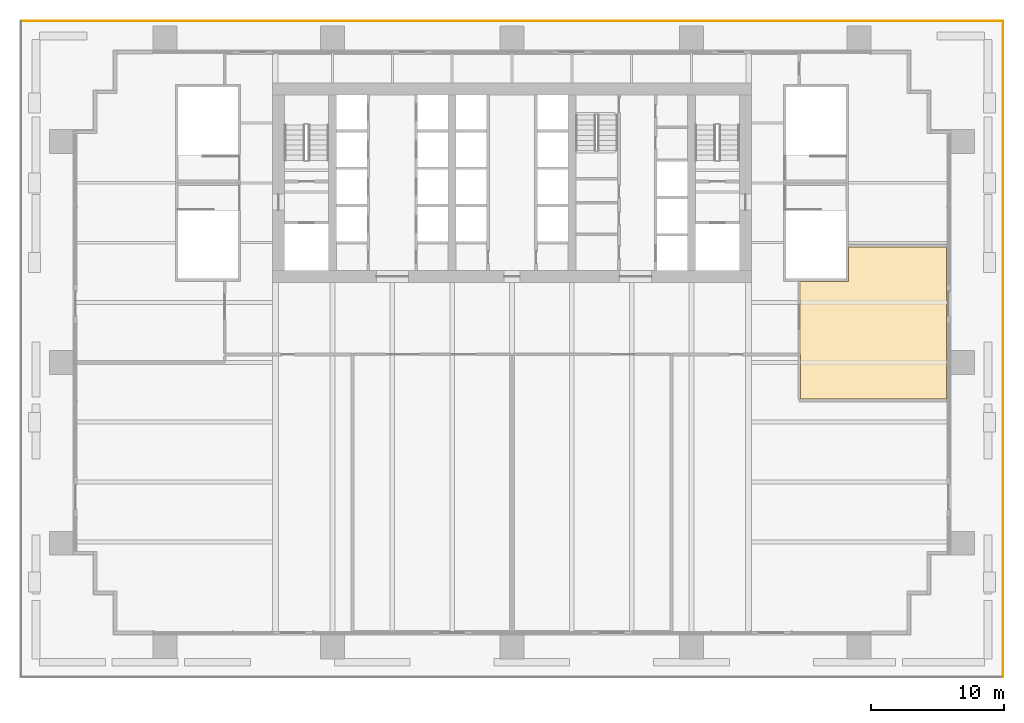
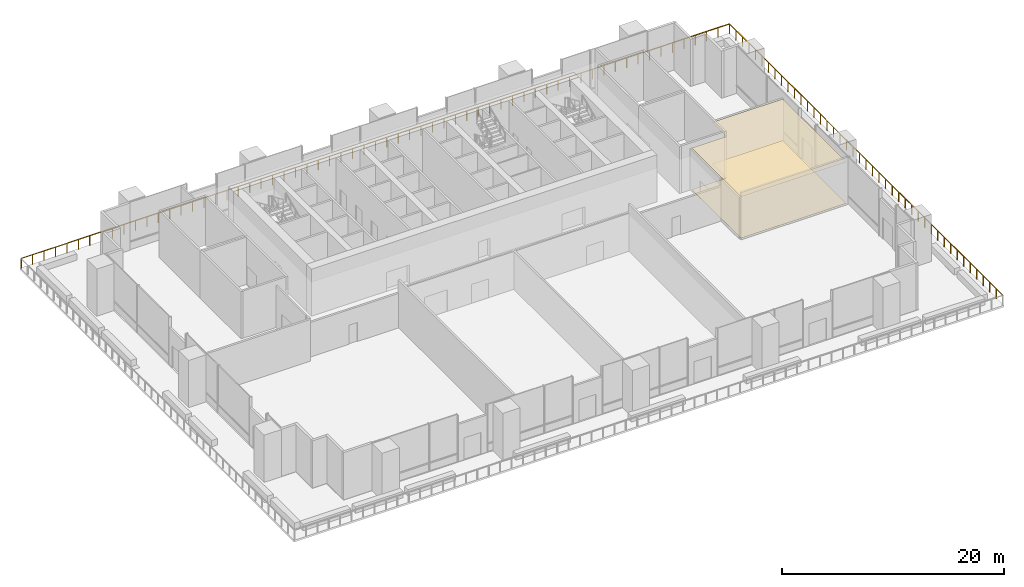
# One storey, part 16 of 16: 2 coverings, 2 railings.
"""IFC4 building model written with IfcOpenShell, lengths in metres."""

from ifc_helpers import new_model, si_unit, direction, frame, origin, origin_2d, place, context, subcontext, project, spatial, polyline, rectangle, outline, extrude, material, layer, layer_set, type_object, element, save


model = new_model("IFC4")

# Units and contexts
model_context = context("Model", 3, precision=1e-05, world=origin(), true_north=direction((0.0, 1.0)))
body_context = subcontext(model_context, "Body", "Model", "MODEL_VIEW")
ifc_project = project(units=[si_unit("LENGTHUNIT", "METRE"), si_unit("AREAUNIT", "SQUARE_METRE"), si_unit("VOLUMEUNIT", "CUBIC_METRE"), si_unit("PLANEANGLEUNIT", "RADIAN"), si_unit("MASSUNIT", "GRAM", prefix="KILO")], contexts=[model_context])

# Site, building, storey
site_placement = place(None, origin())
site = spatial("IfcSite", under=ifc_project, at=site_placement, CompositionType="ELEMENT")
building_placement = place(site_placement, origin())
building = spatial("IfcBuilding", under=site, at=building_placement, Name="Rattan Terrace Tower", CompositionType="ELEMENT")
storey_placement = place(building_placement, frame((0.0, 0.0, 27.0)))
storey = spatial("IfcBuildingStorey", under=building, at=storey_placement, Name="L05", CompositionType="ELEMENT", Elevation=27.0)

# Railings
ifc_material_1 = material(Name="Stainless steel 316", Category="steel")
railing_type = type_object("IfcRailingType", Name="Facade Guard 1100", PredefinedType="GUARDRAIL", material=ifc_material_1)
railing_1_placement = place(storey_placement, frame((-36.919921875, 12.169921875, 0.0)))
element("IfcRailing", 1, at=railing_1_placement, inside=storey, type_object=railing_type, Name="Terrace guard L05-1-2", PredefinedType="GUARDRAIL", context=body_context, shape_type="SweptSolid", body=[
    extrude(rectangle(XDim=0.048095703125, YDim=0.048095703125, at=origin_2d()), frame((0.0, 0.0, 1.076171875), z_axis=(1.0, 0.0, 0.0), x_axis=(0.0, 1.0, 0.0)), (0.0, 0.0, 1.0), 73.83984375),
    extrude(rectangle(XDim=0.0419921875, YDim=0.0419921875, at=origin_2d()), origin(), (0.0, 0.0, 1.0), 1.052001953125),
    extrude(rectangle(XDim=0.0419921875, YDim=0.0419921875, at=origin_2d()), frame((1.19091796875, 0.0, 0.0)), (0.0, 0.0, 1.0), 1.052001953125),
    extrude(rectangle(XDim=0.0419921875, YDim=0.0419921875, at=origin_2d()), frame((2.3818359375, 0.0, 0.0)), (0.0, 0.0, 1.0), 1.052001953125),
    extrude(rectangle(XDim=0.0419921875, YDim=0.0419921875, at=origin_2d()), frame((3.572998046875, 0.0, 0.0)), (0.0, 0.0, 1.0), 1.052001953125),
    extrude(rectangle(XDim=0.0419921875, YDim=0.0419921875, at=origin_2d()), frame((4.763916015625, 0.0, 0.0)), (0.0, 0.0, 1.0), 1.052001953125),
    extrude(rectangle(XDim=0.0419921875, YDim=0.0419921875, at=origin_2d()), frame((5.954833984375, 0.0, 0.0)), (0.0, 0.0, 1.0), 1.052001953125),
    extrude(rectangle(XDim=0.0419921875, YDim=0.0419921875, at=origin_2d()), frame((7.145751953125, 0.0, 0.0)), (0.0, 0.0, 1.0), 1.052001953125),
    extrude(rectangle(XDim=0.0419921875, YDim=0.0419921875, at=origin_2d()), frame((8.336669921875, 0.0, 0.0)), (0.0, 0.0, 1.0), 1.052001953125),
    extrude(rectangle(XDim=0.0419921875, YDim=0.0419921875, at=origin_2d()), frame((9.52783203125, 0.0, 0.0)), (0.0, 0.0, 1.0), 1.052001953125),
    extrude(rectangle(XDim=0.0419921875, YDim=0.0419921875, at=origin_2d()), frame((10.71875, 0.0, 0.0)), (0.0, 0.0, 1.0), 1.052001953125),
    extrude(rectangle(XDim=0.0419921875, YDim=0.0419921875, at=origin_2d()), frame((11.90966796875, 0.0, 0.0)), (0.0, 0.0, 1.0), 1.052001953125),
    extrude(rectangle(XDim=0.0419921875, YDim=0.0419921875, at=origin_2d()), frame((13.1005859375, 0.0, 0.0)), (0.0, 0.0, 1.0), 1.052001953125),
    extrude(rectangle(XDim=0.0419921875, YDim=0.0419921875, at=origin_2d()), frame((14.29150390625, 0.0, 0.0)), (0.0, 0.0, 1.0), 1.052001953125),
    extrude(rectangle(XDim=0.0419921875, YDim=0.0419921875, at=origin_2d()), frame((15.482666015625, 0.0, 0.0)), (0.0, 0.0, 1.0), 1.052001953125),
    extrude(rectangle(XDim=0.0419921875, YDim=0.0419921875, at=origin_2d()), frame((16.673583984375, 0.0, 0.0)), (0.0, 0.0, 1.0), 1.052001953125),
    extrude(rectangle(XDim=0.0419921875, YDim=0.0419921875, at=origin_2d()), frame((17.864501953125, 0.0, 0.0)), (0.0, 0.0, 1.0), 1.052001953125),
    extrude(rectangle(XDim=0.0419921875, YDim=0.0419921875, at=origin_2d()), frame((19.055419921875, 0.0, 0.0)), (0.0, 0.0, 1.0), 1.052001953125),
    extrude(rectangle(XDim=0.0419921875, YDim=0.0419921875, at=origin_2d()), frame((20.246337890625, 0.0, 0.0)), (0.0, 0.0, 1.0), 1.052001953125),
    extrude(rectangle(XDim=0.0419921875, YDim=0.0419921875, at=origin_2d()), frame((21.437255859375, 0.0, 0.0)), (0.0, 0.0, 1.0), 1.052001953125),
    extrude(rectangle(XDim=0.0419921875, YDim=0.0419921875, at=origin_2d()), frame((22.62841796875, 0.0, 0.0)), (0.0, 0.0, 1.0), 1.052001953125),
    extrude(rectangle(XDim=0.0419921875, YDim=0.0419921875, at=origin_2d()), frame((23.8193359375, 0.0, 0.0)), (0.0, 0.0, 1.0), 1.052001953125),
    extrude(rectangle(XDim=0.0419921875, YDim=0.0419921875, at=origin_2d()), frame((25.01025390625, 0.0, 0.0)), (0.0, 0.0, 1.0), 1.052001953125),
    extrude(rectangle(XDim=0.0419921875, YDim=0.0419921875, at=origin_2d()), frame((26.201171875, 0.0, 0.0)), (0.0, 0.0, 1.0), 1.052001953125),
    extrude(rectangle(XDim=0.0419921875, YDim=0.0419921875, at=origin_2d()), frame((27.39208984375, 0.0, 0.0)), (0.0, 0.0, 1.0), 1.052001953125),
    extrude(rectangle(XDim=0.0419921875, YDim=0.0419921875, at=origin_2d()), frame((28.583251953125, 0.0, 0.0)), (0.0, 0.0, 1.0), 1.052001953125),
    extrude(rectangle(XDim=0.0419921875, YDim=0.0419921875, at=origin_2d()), frame((29.774169921875, 0.0, 0.0)), (0.0, 0.0, 1.0), 1.052001953125),
    extrude(rectangle(XDim=0.0419921875, YDim=0.0419921875, at=origin_2d()), frame((30.965087890625, 0.0, 0.0)), (0.0, 0.0, 1.0), 1.052001953125),
    extrude(rectangle(XDim=0.0419921875, YDim=0.0419921875, at=origin_2d()), frame((32.156005859375, 0.0, 0.0)), (0.0, 0.0, 1.0), 1.052001953125),
    extrude(rectangle(XDim=0.0419921875, YDim=0.0419921875, at=origin_2d()), frame((33.346923828125, 0.0, 0.0)), (0.0, 0.0, 1.0), 1.052001953125),
    extrude(rectangle(XDim=0.0419921875, YDim=0.0419921875, at=origin_2d()), frame((34.5380859375, 0.0, 0.0)), (0.0, 0.0, 1.0), 1.052001953125),
    extrude(rectangle(XDim=0.0419921875, YDim=0.0419921875, at=origin_2d()), frame((35.72900390625, 0.0, 0.0)), (0.0, 0.0, 1.0), 1.052001953125),
    extrude(rectangle(XDim=0.0419921875, YDim=0.0419921875, at=origin_2d()), frame((36.919921875, 0.0, 0.0)), (0.0, 0.0, 1.0), 1.052001953125),
    extrude(rectangle(XDim=0.0419921875, YDim=0.0419921875, at=origin_2d()), frame((38.11083984375, 0.0, 0.0)), (0.0, 0.0, 1.0), 1.052001953125),
    extrude(rectangle(XDim=0.0419921875, YDim=0.0419921875, at=origin_2d()), frame((39.3017578125, 0.0, 0.0)), (0.0, 0.0, 1.0), 1.052001953125),
    extrude(rectangle(XDim=0.0419921875, YDim=0.0419921875, at=origin_2d()), frame((40.492919921875, 0.0, 0.0)), (0.0, 0.0, 1.0), 1.052001953125),
    extrude(rectangle(XDim=0.0419921875, YDim=0.0419921875, at=origin_2d()), frame((41.683837890625, 0.0, 0.0)), (0.0, 0.0, 1.0), 1.052001953125),
    extrude(rectangle(XDim=0.0419921875, YDim=0.0419921875, at=origin_2d()), frame((42.874755859375, 0.0, 0.0)), (0.0, 0.0, 1.0), 1.052001953125),
    extrude(rectangle(XDim=0.0419921875, YDim=0.0419921875, at=origin_2d()), frame((44.065673828125, 0.0, 0.0)), (0.0, 0.0, 1.0), 1.052001953125),
    extrude(rectangle(XDim=0.0419921875, YDim=0.0419921875, at=origin_2d()), frame((45.256591796875, 0.0, 0.0)), (0.0, 0.0, 1.0), 1.052001953125),
    extrude(rectangle(XDim=0.0419921875, YDim=0.0419921875, at=origin_2d()), frame((46.44775390625, 0.0, 0.0)), (0.0, 0.0, 1.0), 1.052001953125),
    extrude(rectangle(XDim=0.0419921875, YDim=0.0419921875, at=origin_2d()), frame((47.638671875, 0.0, 0.0)), (0.0, 0.0, 1.0), 1.052001953125),
    extrude(rectangle(XDim=0.0419921875, YDim=0.0419921875, at=origin_2d()), frame((48.82958984375, 0.0, 0.0)), (0.0, 0.0, 1.0), 1.052001953125),
    extrude(rectangle(XDim=0.0419921875, YDim=0.0419921875, at=origin_2d()), frame((50.0205078125, 0.0, 0.0)), (0.0, 0.0, 1.0), 1.052001953125),
    extrude(rectangle(XDim=0.0419921875, YDim=0.0419921875, at=origin_2d()), frame((51.21142578125, 0.0, 0.0)), (0.0, 0.0, 1.0), 1.052001953125),
    extrude(rectangle(XDim=0.0419921875, YDim=0.0419921875, at=origin_2d()), frame((52.402587890625, 0.0, 0.0)), (0.0, 0.0, 1.0), 1.052001953125),
    extrude(rectangle(XDim=0.0419921875, YDim=0.0419921875, at=origin_2d()), frame((53.593505859375, 0.0, 0.0)), (0.0, 0.0, 1.0), 1.052001953125),
    extrude(rectangle(XDim=0.0419921875, YDim=0.0419921875, at=origin_2d()), frame((54.784423828125, 0.0, 0.0)), (0.0, 0.0, 1.0), 1.052001953125),
    extrude(rectangle(XDim=0.0419921875, YDim=0.0419921875, at=origin_2d()), frame((55.975341796875, 0.0, 0.0)), (0.0, 0.0, 1.0), 1.052001953125),
    extrude(rectangle(XDim=0.0419921875, YDim=0.0419921875, at=origin_2d()), frame((57.166259765625, 0.0, 0.0)), (0.0, 0.0, 1.0), 1.052001953125),
    extrude(rectangle(XDim=0.0419921875, YDim=0.0419921875, at=origin_2d()), frame((58.357177734375, 0.0, 0.0)), (0.0, 0.0, 1.0), 1.052001953125),
    extrude(rectangle(XDim=0.0419921875, YDim=0.0419921875, at=origin_2d()), frame((59.54833984375, 0.0, 0.0)), (0.0, 0.0, 1.0), 1.052001953125),
    extrude(rectangle(XDim=0.0419921875, YDim=0.0419921875, at=origin_2d()), frame((60.7392578125, 0.0, 0.0)), (0.0, 0.0, 1.0), 1.052001953125),
    extrude(rectangle(XDim=0.0419921875, YDim=0.0419921875, at=origin_2d()), frame((61.93017578125, 0.0, 0.0)), (0.0, 0.0, 1.0), 1.052001953125),
    extrude(rectangle(XDim=0.0419921875, YDim=0.0419921875, at=origin_2d()), frame((63.12109375, 0.0, 0.0)), (0.0, 0.0, 1.0), 1.052001953125),
    extrude(rectangle(XDim=0.0419921875, YDim=0.0419921875, at=origin_2d()), frame((64.31201171875, 0.0, 0.0)), (0.0, 0.0, 1.0), 1.052001953125),
    extrude(rectangle(XDim=0.0419921875, YDim=0.0419921875, at=origin_2d()), frame((65.503173828125, 0.0, 0.0)), (0.0, 0.0, 1.0), 1.052001953125),
    extrude(rectangle(XDim=0.0419921875, YDim=0.0419921875, at=origin_2d()), frame((66.694091796875, 0.0, 0.0)), (0.0, 0.0, 1.0), 1.052001953125),
    extrude(rectangle(XDim=0.0419921875, YDim=0.0419921875, at=origin_2d()), frame((67.885009765625, 0.0, 0.0)), (0.0, 0.0, 1.0), 1.052001953125),
    extrude(rectangle(XDim=0.0419921875, YDim=0.0419921875, at=origin_2d()), frame((69.075927734375, 0.0, 0.0)), (0.0, 0.0, 1.0), 1.052001953125),
    extrude(rectangle(XDim=0.0419921875, YDim=0.0419921875, at=origin_2d()), frame((70.266845703125, 0.0, 0.0)), (0.0, 0.0, 1.0), 1.052001953125),
    extrude(rectangle(XDim=0.0419921875, YDim=0.0419921875, at=origin_2d()), frame((71.4580078125, 0.0, 0.0)), (0.0, 0.0, 1.0), 1.052001953125),
    extrude(rectangle(XDim=0.0419921875, YDim=0.0419921875, at=origin_2d()), frame((72.64892578125, 0.0, 0.0)), (0.0, 0.0, 1.0), 1.052001953125),
])
railing_2_placement = place(storey_placement, frame((36.919921875, 12.169921875, 0.0)))
element("IfcRailing", 2, at=railing_2_placement, inside=storey, type_object=railing_type, Name="Terrace guard L05-1-3", PredefinedType="GUARDRAIL", context=body_context, shape_type="SweptSolid", body=[
    extrude(rectangle(XDim=0.048095703125, YDim=0.048095703125, at=origin_2d()), frame((0.0, 0.0, 1.076171875), z_axis=(0.0, -1.0, 0.0), x_axis=(1.0, 0.0, 0.0)), (0.0, 0.0, 1.0), 49.33984375),
    extrude(rectangle(XDim=0.0419921875, YDim=0.0419921875, at=origin_2d()), origin(), (0.0, 0.0, 1.0), 1.052001953125),
    extrude(rectangle(XDim=0.0419921875, YDim=0.0419921875, at=origin_2d()), frame((0.0, -1.1748046875, 0.0)), (0.0, 0.0, 1.0), 1.052001953125),
    extrude(rectangle(XDim=0.0419921875, YDim=0.0419921875, at=origin_2d()), frame((0.0, -2.349609375, 0.0)), (0.0, 0.0, 1.0), 1.052001953125),
    extrude(rectangle(XDim=0.0419921875, YDim=0.0419921875, at=origin_2d()), frame((0.0, -3.524169921875, 0.0)), (0.0, 0.0, 1.0), 1.052001953125),
    extrude(rectangle(XDim=0.0419921875, YDim=0.0419921875, at=origin_2d()), frame((0.0, -4.698974609375, 0.0)), (0.0, 0.0, 1.0), 1.052001953125),
    extrude(rectangle(XDim=0.0419921875, YDim=0.0419921875, at=origin_2d()), frame((0.0, -5.873779296875, 0.0)), (0.0, 0.0, 1.0), 1.052001953125),
    extrude(rectangle(XDim=0.0419921875, YDim=0.0419921875, at=origin_2d()), frame((0.0, -7.048583984375, 0.0)), (0.0, 0.0, 1.0), 1.052001953125),
    extrude(rectangle(XDim=0.0419921875, YDim=0.0419921875, at=origin_2d()), frame((0.0, -8.223388671875, 0.0)), (0.0, 0.0, 1.0), 1.052001953125),
    extrude(rectangle(XDim=0.0419921875, YDim=0.0419921875, at=origin_2d()), frame((0.0, -9.39794921875, 0.0)), (0.0, 0.0, 1.0), 1.052001953125),
    extrude(rectangle(XDim=0.0419921875, YDim=0.0419921875, at=origin_2d()), frame((0.0, -10.57275390625, 0.0)), (0.0, 0.0, 1.0), 1.052001953125),
    extrude(rectangle(XDim=0.0419921875, YDim=0.0419921875, at=origin_2d()), frame((0.0, -11.74755859375, 0.0)), (0.0, 0.0, 1.0), 1.052001953125),
    extrude(rectangle(XDim=0.0419921875, YDim=0.0419921875, at=origin_2d()), frame((0.0, -12.92236328125, 0.0)), (0.0, 0.0, 1.0), 1.052001953125),
    extrude(rectangle(XDim=0.0419921875, YDim=0.0419921875, at=origin_2d()), frame((0.0, -14.09716796875, 0.0)), (0.0, 0.0, 1.0), 1.052001953125),
    extrude(rectangle(XDim=0.0419921875, YDim=0.0419921875, at=origin_2d()), frame((0.0, -15.27197265625, 0.0)), (0.0, 0.0, 1.0), 1.052001953125),
    extrude(rectangle(XDim=0.0419921875, YDim=0.0419921875, at=origin_2d()), frame((0.0, -16.446533203125, 0.0)), (0.0, 0.0, 1.0), 1.052001953125),
    extrude(rectangle(XDim=0.0419921875, YDim=0.0419921875, at=origin_2d()), frame((0.0, -17.621337890625, 0.0)), (0.0, 0.0, 1.0), 1.052001953125),
    extrude(rectangle(XDim=0.0419921875, YDim=0.0419921875, at=origin_2d()), frame((0.0, -18.796142578125, 0.0)), (0.0, 0.0, 1.0), 1.052001953125),
    extrude(rectangle(XDim=0.0419921875, YDim=0.0419921875, at=origin_2d()), frame((0.0, -19.970947265625, 0.0)), (0.0, 0.0, 1.0), 1.052001953125),
    extrude(rectangle(XDim=0.0419921875, YDim=0.0419921875, at=origin_2d()), frame((0.0, -21.145751953125, 0.0)), (0.0, 0.0, 1.0), 1.052001953125),
    extrude(rectangle(XDim=0.0419921875, YDim=0.0419921875, at=origin_2d()), frame((0.0, -22.3203125, 0.0)), (0.0, 0.0, 1.0), 1.052001953125),
    extrude(rectangle(XDim=0.0419921875, YDim=0.0419921875, at=origin_2d()), frame((0.0, -23.4951171875, 0.0)), (0.0, 0.0, 1.0), 1.052001953125),
    extrude(rectangle(XDim=0.0419921875, YDim=0.0419921875, at=origin_2d()), frame((0.0, -24.669921875, 0.0)), (0.0, 0.0, 1.0), 1.052001953125),
    extrude(rectangle(XDim=0.0419921875, YDim=0.0419921875, at=origin_2d()), frame((0.0, -25.8447265625, 0.0)), (0.0, 0.0, 1.0), 1.052001953125),
    extrude(rectangle(XDim=0.0419921875, YDim=0.0419921875, at=origin_2d()), frame((0.0, -27.01953125, 0.0)), (0.0, 0.0, 1.0), 1.052001953125),
    extrude(rectangle(XDim=0.0419921875, YDim=0.0419921875, at=origin_2d()), frame((0.0, -28.194091796875, 0.0)), (0.0, 0.0, 1.0), 1.052001953125),
    extrude(rectangle(XDim=0.0419921875, YDim=0.0419921875, at=origin_2d()), frame((0.0, -29.368896484375, 0.0)), (0.0, 0.0, 1.0), 1.052001953125),
    extrude(rectangle(XDim=0.0419921875, YDim=0.0419921875, at=origin_2d()), frame((0.0, -30.543701171875, 0.0)), (0.0, 0.0, 1.0), 1.052001953125),
    extrude(rectangle(XDim=0.0419921875, YDim=0.0419921875, at=origin_2d()), frame((0.0, -31.718505859375, 0.0)), (0.0, 0.0, 1.0), 1.052001953125),
    extrude(rectangle(XDim=0.0419921875, YDim=0.0419921875, at=origin_2d()), frame((0.0, -32.893310546875, 0.0)), (0.0, 0.0, 1.0), 1.052001953125),
    extrude(rectangle(XDim=0.0419921875, YDim=0.0419921875, at=origin_2d()), frame((0.0, -34.06787109375, 0.0)), (0.0, 0.0, 1.0), 1.052001953125),
    extrude(rectangle(XDim=0.0419921875, YDim=0.0419921875, at=origin_2d()), frame((0.0, -35.24267578125, 0.0)), (0.0, 0.0, 1.0), 1.052001953125),
    extrude(rectangle(XDim=0.0419921875, YDim=0.0419921875, at=origin_2d()), frame((0.0, -36.41748046875, 0.0)), (0.0, 0.0, 1.0), 1.052001953125),
    extrude(rectangle(XDim=0.0419921875, YDim=0.0419921875, at=origin_2d()), frame((0.0, -37.59228515625, 0.0)), (0.0, 0.0, 1.0), 1.052001953125),
    extrude(rectangle(XDim=0.0419921875, YDim=0.0419921875, at=origin_2d()), frame((0.0, -38.76708984375, 0.0)), (0.0, 0.0, 1.0), 1.052001953125),
    extrude(rectangle(XDim=0.0419921875, YDim=0.0419921875, at=origin_2d()), frame((0.0, -39.94189453125, 0.0)), (0.0, 0.0, 1.0), 1.052001953125),
    extrude(rectangle(XDim=0.0419921875, YDim=0.0419921875, at=origin_2d()), frame((0.0, -41.116455078125, 0.0)), (0.0, 0.0, 1.0), 1.052001953125),
    extrude(rectangle(XDim=0.0419921875, YDim=0.0419921875, at=origin_2d()), frame((0.0, -42.291259765625, 0.0)), (0.0, 0.0, 1.0), 1.052001953125),
    extrude(rectangle(XDim=0.0419921875, YDim=0.0419921875, at=origin_2d()), frame((0.0, -43.466064453125, 0.0)), (0.0, 0.0, 1.0), 1.052001953125),
    extrude(rectangle(XDim=0.0419921875, YDim=0.0419921875, at=origin_2d()), frame((0.0, -44.640869140625, 0.0)), (0.0, 0.0, 1.0), 1.052001953125),
    extrude(rectangle(XDim=0.0419921875, YDim=0.0419921875, at=origin_2d()), frame((0.0, -45.815673828125, 0.0)), (0.0, 0.0, 1.0), 1.052001953125),
    extrude(rectangle(XDim=0.0419921875, YDim=0.0419921875, at=origin_2d()), frame((0.0, -46.990234375, 0.0)), (0.0, 0.0, 1.0), 1.052001953125),
    extrude(rectangle(XDim=0.0419921875, YDim=0.0419921875, at=origin_2d()), frame((0.0, -48.1650390625, 0.0)), (0.0, 0.0, 1.0), 1.052001953125),
])

# Coverings
ifc_material_2 = material(Name="Polished limestone", Category="masonry")
ifc_layer_1 = layer(ifc_material_2, 0.02001953125)
ifc_layer_set_1 = layer_set([ifc_layer_1], Name="Lobby Floor Finish Stone 20")
covering_type_1 = type_object("IfcCoveringType", Name="Lobby Floor Finish Stone 20", PredefinedType="FLOORING", material=ifc_layer_set_1)
covering_1_placement = place(storey_placement, origin())
element("IfcCovering", 3, at=covering_1_placement, inside=storey, type_object=covering_type_1, Name="Floor finish L05-108", PredefinedType="FLOORING", context=body_context, shape_type="SweptSolid", body=[
    extrude(outline(polyline([(21.699951171875, -16.263916015625), (32.659912109375, -16.263916015625), (32.659912109375, -4.826904296875), (25.300048828125, -4.826904296875), (25.300048828125, -7.39990234375), (21.675048828125, -7.39990234375), (21.675048828125, -12.89990234375), (21.699951171875, -12.89990234375), (21.699951171875, -16.263916015625)])), origin(), (0.0, 0.0, 1.0), 0.02001953125),
])
ifc_material_3 = material(Name="Gypsum board, painted")
ifc_layer_2 = layer(ifc_material_3, 0.02490234375)
ifc_layer_set_2 = layer_set([ifc_layer_2], Name="Suspended Ceiling Gypsum 25")
covering_type_2 = type_object("IfcCoveringType", Name="Suspended Ceiling Gypsum 25", PredefinedType="CEILING", material=ifc_layer_set_2)
covering_2_placement = place(storey_placement, frame((0.0, 0.0, 4.574951171875)))
element("IfcCovering", 4, at=covering_2_placement, inside=storey, type_object=covering_type_2, Name="Ceiling L05-108", PredefinedType="CEILING", context=body_context, shape_type="SweptSolid", body=[
    extrude(outline(polyline([(21.699951171875, -16.263916015625), (32.659912109375, -16.263916015625), (32.659912109375, -4.826904296875), (25.300048828125, -4.826904296875), (25.300048828125, -7.39990234375), (21.675048828125, -7.39990234375), (21.675048828125, -12.89990234375), (21.699951171875, -12.89990234375), (21.699951171875, -16.263916015625)])), origin(), (0.0, 0.0, 1.0), 0.025146484375),
])

save(model, "model.ifc")
